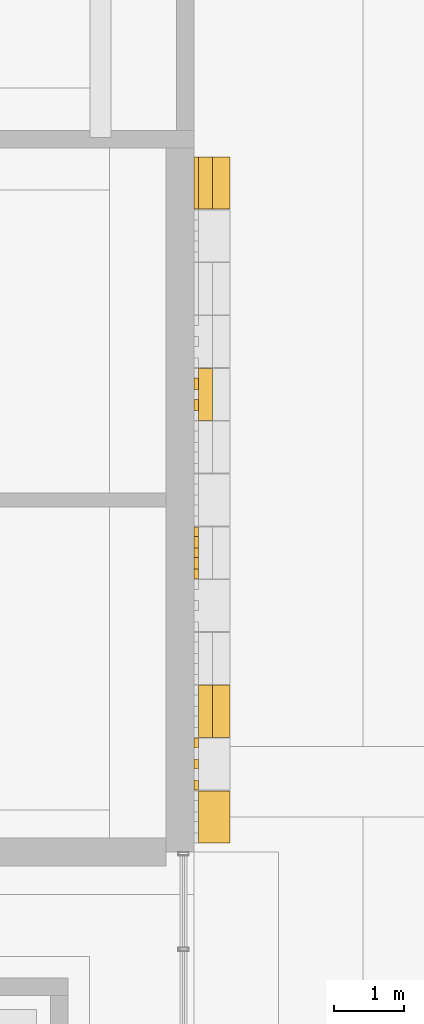
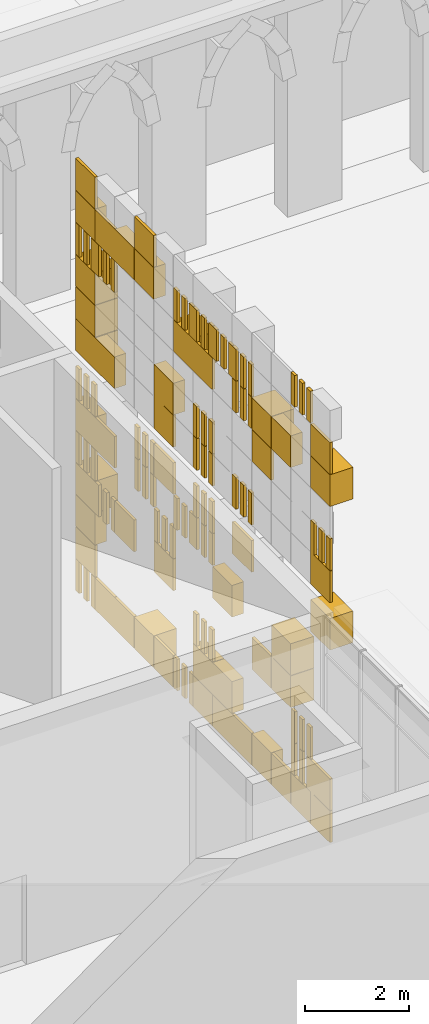
# One storey, part 94 of 125: 2 coverings.
"""IFC4 building model written with IfcOpenShell, lengths in metres."""

from ifc_helpers import new_model, si_unit, direction, frame, origin, origin_2d, place, context, subcontext, project, spatial, rectangle, extrude, material, layer, layer_set, type_object, element, save


model = new_model("IFC4")

# Units and contexts
model_context = context("Model", 3, precision=1e-05, world=origin(), true_north=direction((0.0, 1.0)))
body_context = subcontext(model_context, "Body", "Model", "MODEL_VIEW")
ifc_project = project(units=[si_unit("LENGTHUNIT", "METRE"), si_unit("AREAUNIT", "SQUARE_METRE"), si_unit("VOLUMEUNIT", "CUBIC_METRE"), si_unit("PLANEANGLEUNIT", "RADIAN"), si_unit("MASSUNIT", "GRAM", prefix="KILO")], contexts=[model_context])

# Site, building, storey
site_placement = place(None, origin())
site = spatial("IfcSite", under=ifc_project, at=site_placement, CompositionType="ELEMENT")
building_placement = place(site_placement, origin())
building = spatial("IfcBuilding", under=site, at=building_placement, Name="Sun Court Science Centre", CompositionType="ELEMENT")
storey_placement = place(building_placement, origin())
storey = spatial("IfcBuildingStorey", under=building, at=storey_placement, Name="L00", CompositionType="ELEMENT", Elevation=0.0)

# Coverings
ifc_material_1 = material(Name="Terracotta jali", Category="masonry")
ifc_layer_1 = layer(ifc_material_1, 0.06005859375)
ifc_layer_set_1 = layer_set([ifc_layer_1], Name="Terracotta jali")
covering_type_1 = type_object("IfcCoveringType", Name="Terracotta open jali panel", PredefinedType="CLADDING", material=ifc_layer_set_1)
covering_1_placement = place(storey_placement, origin())
element("IfcCovering", 1, at=covering_1_placement, inside=storey, type_object=covering_type_1, Name="Open jali pixel cladding east party wall L00", PredefinedType="CLADDING", context=body_context, shape_type="SweptSolid", body=[
    extrude(rectangle(XDim=0.139892578125, YDim=0.06005859375, at=origin_2d()), frame((24.030029296875, 63.800048828125, 0.22998046875), z_axis=(0.0, 0.0, 1.0), x_axis=(0.0, -1.0, 0.0)), (0.0, 0.0, 1.0), 0.739990234375),
    extrude(rectangle(XDim=0.139892578125, YDim=0.06005859375, at=origin_2d()), frame((24.030029296875, 63.5, 0.22998046875), z_axis=(0.0, 0.0, 1.0), x_axis=(0.0, -1.0, 0.0)), (0.0, 0.0, 1.0), 0.739990234375),
    extrude(rectangle(XDim=0.139892578125, YDim=0.06005859375, at=origin_2d()), frame((24.030029296875, 63.199951171875, 0.22998046875), z_axis=(0.0, 0.0, 1.0), x_axis=(0.0, -1.0, 0.0)), (0.0, 0.0, 1.0), 0.739990234375),
    extrude(rectangle(XDim=0.139892578125, YDim=0.06005859375, at=origin_2d()), frame((24.030029296875, 60.050048828125, 0.22998046875), z_axis=(0.0, 0.0, 1.0), x_axis=(0.0, -1.0, 0.0)), (0.0, 0.0, 1.0), 0.739990234375),
    extrude(rectangle(XDim=0.139892578125, YDim=0.06005859375, at=origin_2d()), frame((24.030029296875, 59.75, 0.22998046875), z_axis=(0.0, 0.0, 1.0), x_axis=(0.0, -1.0, 0.0)), (0.0, 0.0, 1.0), 0.739990234375),
    extrude(rectangle(XDim=0.139892578125, YDim=0.06005859375, at=origin_2d()), frame((24.030029296875, 59.449951171875, 0.22998046875), z_axis=(0.0, 0.0, 1.0), x_axis=(0.0, -1.0, 0.0)), (0.0, 0.0, 1.0), 0.739990234375),
    extrude(rectangle(XDim=0.139892578125, YDim=0.06005859375, at=origin_2d()), frame((24.030029296875, 55.550048828125, 0.97998046875), z_axis=(0.0, 0.0, 1.0), x_axis=(0.0, -1.0, 0.0)), (0.0, 0.0, 1.0), 0.739990234375),
    extrude(rectangle(XDim=0.139892578125, YDim=0.06005859375, at=origin_2d()), frame((24.030029296875, 55.25, 0.97998046875), z_axis=(0.0, 0.0, 1.0), x_axis=(0.0, -1.0, 0.0)), (0.0, 0.0, 1.0), 0.739990234375),
    extrude(rectangle(XDim=0.139892578125, YDim=0.06005859375, at=origin_2d()), frame((24.030029296875, 54.949951171875, 0.97998046875), z_axis=(0.0, 0.0, 1.0), x_axis=(0.0, -1.0, 0.0)), (0.0, 0.0, 1.0), 0.739990234375),
    extrude(rectangle(XDim=0.139892578125, YDim=0.06005859375, at=origin_2d()), frame((24.030029296875, 59.300048828125, 1.72998046875), z_axis=(0.0, 0.0, 1.0), x_axis=(0.0, -1.0, 0.0)), (0.0, 0.0, 1.0), 0.739990234375),
    extrude(rectangle(XDim=0.139892578125, YDim=0.06005859375, at=origin_2d()), frame((24.030029296875, 59.0, 1.72998046875), z_axis=(0.0, 0.0, 1.0), x_axis=(0.0, -1.0, 0.0)), (0.0, 0.0, 1.0), 0.739990234375),
    extrude(rectangle(XDim=0.139892578125, YDim=0.06005859375, at=origin_2d()), frame((24.030029296875, 58.699951171875, 1.72998046875), z_axis=(0.0, 0.0, 1.0), x_axis=(0.0, -1.0, 0.0)), (0.0, 0.0, 1.0), 0.739990234375),
    extrude(rectangle(XDim=0.139892578125, YDim=0.06005859375, at=origin_2d()), frame((24.030029296875, 55.550048828125, 1.72998046875), z_axis=(0.0, 0.0, 1.0), x_axis=(0.0, -1.0, 0.0)), (0.0, 0.0, 1.0), 0.739990234375),
    extrude(rectangle(XDim=0.139892578125, YDim=0.06005859375, at=origin_2d()), frame((24.030029296875, 55.25, 1.72998046875), z_axis=(0.0, 0.0, 1.0), x_axis=(0.0, -1.0, 0.0)), (0.0, 0.0, 1.0), 0.739990234375),
    extrude(rectangle(XDim=0.139892578125, YDim=0.06005859375, at=origin_2d()), frame((24.030029296875, 54.949951171875, 1.72998046875), z_axis=(0.0, 0.0, 1.0), x_axis=(0.0, -1.0, 0.0)), (0.0, 0.0, 1.0), 0.739990234375),
    extrude(rectangle(XDim=0.139892578125, YDim=0.06005859375, at=origin_2d()), frame((24.030029296875, 63.050048828125, 2.47998046875), z_axis=(0.0, 0.0, 1.0), x_axis=(0.0, -1.0, 0.0)), (0.0, 0.0, 1.0), 0.739990234375),
    extrude(rectangle(XDim=0.139892578125, YDim=0.06005859375, at=origin_2d()), frame((24.030029296875, 62.75, 2.47998046875), z_axis=(0.0, 0.0, 1.0), x_axis=(0.0, -1.0, 0.0)), (0.0, 0.0, 1.0), 0.739990234375),
    extrude(rectangle(XDim=0.139892578125, YDim=0.06005859375, at=origin_2d()), frame((24.030029296875, 62.449951171875, 2.47998046875), z_axis=(0.0, 0.0, 1.0), x_axis=(0.0, -1.0, 0.0)), (0.0, 0.0, 1.0), 0.739990234375),
    extrude(rectangle(XDim=0.139892578125, YDim=0.06005859375, at=origin_2d()), frame((24.030029296875, 63.800048828125, 3.22998046875), z_axis=(0.0, 0.0, 1.0), x_axis=(0.0, -1.0, 0.0)), (0.0, 0.0, 1.0), 0.739990234375),
    extrude(rectangle(XDim=0.139892578125, YDim=0.06005859375, at=origin_2d()), frame((24.030029296875, 63.5, 3.22998046875), z_axis=(0.0, 0.0, 1.0), x_axis=(0.0, -1.0, 0.0)), (0.0, 0.0, 1.0), 0.739990234375),
    extrude(rectangle(XDim=0.139892578125, YDim=0.06005859375, at=origin_2d()), frame((24.030029296875, 63.199951171875, 3.22998046875), z_axis=(0.0, 0.0, 1.0), x_axis=(0.0, -1.0, 0.0)), (0.0, 0.0, 1.0), 0.739990234375),
    extrude(rectangle(XDim=0.139892578125, YDim=0.06005859375, at=origin_2d()), frame((24.030029296875, 60.800048828125, 3.22998046875), z_axis=(0.0, 0.0, 1.0), x_axis=(0.0, -1.0, 0.0)), (0.0, 0.0, 1.0), 0.739990234375),
    extrude(rectangle(XDim=0.139892578125, YDim=0.06005859375, at=origin_2d()), frame((24.030029296875, 60.5, 3.22998046875), z_axis=(0.0, 0.0, 1.0), x_axis=(0.0, -1.0, 0.0)), (0.0, 0.0, 1.0), 0.739990234375),
    extrude(rectangle(XDim=0.139892578125, YDim=0.06005859375, at=origin_2d()), frame((24.030029296875, 60.199951171875, 3.22998046875), z_axis=(0.0, 0.0, 1.0), x_axis=(0.0, -1.0, 0.0)), (0.0, 0.0, 1.0), 0.739990234375),
    extrude(rectangle(XDim=0.139892578125, YDim=0.06005859375, at=origin_2d()), frame((24.030029296875, 61.550048828125, 3.97998046875), z_axis=(0.0, 0.0, 1.0), x_axis=(0.0, -1.0, 0.0)), (0.0, 0.0, 1.0), 0.739990234375),
    extrude(rectangle(XDim=0.139892578125, YDim=0.06005859375, at=origin_2d()), frame((24.030029296875, 61.25, 3.97998046875), z_axis=(0.0, 0.0, 1.0), x_axis=(0.0, -1.0, 0.0)), (0.0, 0.0, 1.0), 0.739990234375),
    extrude(rectangle(XDim=0.139892578125, YDim=0.06005859375, at=origin_2d()), frame((24.030029296875, 60.949951171875, 3.97998046875), z_axis=(0.0, 0.0, 1.0), x_axis=(0.0, -1.0, 0.0)), (0.0, 0.0, 1.0), 0.739990234375),
    extrude(rectangle(XDim=0.139892578125, YDim=0.06005859375, at=origin_2d()), frame((24.030029296875, 60.050048828125, 3.97998046875), z_axis=(0.0, 0.0, 1.0), x_axis=(0.0, -1.0, 0.0)), (0.0, 0.0, 1.0), 0.739990234375),
    extrude(rectangle(XDim=0.139892578125, YDim=0.06005859375, at=origin_2d()), frame((24.030029296875, 59.75, 3.97998046875), z_axis=(0.0, 0.0, 1.0), x_axis=(0.0, -1.0, 0.0)), (0.0, 0.0, 1.0), 0.739990234375),
    extrude(rectangle(XDim=0.139892578125, YDim=0.06005859375, at=origin_2d()), frame((24.030029296875, 59.449951171875, 3.97998046875), z_axis=(0.0, 0.0, 1.0), x_axis=(0.0, -1.0, 0.0)), (0.0, 0.0, 1.0), 0.739990234375),
    extrude(rectangle(XDim=0.139892578125, YDim=0.06005859375, at=origin_2d()), frame((24.030029296875, 59.300048828125, 3.97998046875), z_axis=(0.0, 0.0, 1.0), x_axis=(0.0, -1.0, 0.0)), (0.0, 0.0, 1.0), 0.739990234375),
    extrude(rectangle(XDim=0.139892578125, YDim=0.06005859375, at=origin_2d()), frame((24.030029296875, 59.0, 3.97998046875), z_axis=(0.0, 0.0, 1.0), x_axis=(0.0, -1.0, 0.0)), (0.0, 0.0, 1.0), 0.739990234375),
    extrude(rectangle(XDim=0.139892578125, YDim=0.06005859375, at=origin_2d()), frame((24.030029296875, 58.699951171875, 3.97998046875), z_axis=(0.0, 0.0, 1.0), x_axis=(0.0, -1.0, 0.0)), (0.0, 0.0, 1.0), 0.739990234375),
    extrude(rectangle(XDim=0.139892578125, YDim=0.06005859375, at=origin_2d()), frame((24.030029296875, 63.800048828125, 4.72998046875), z_axis=(0.0, 0.0, 1.0), x_axis=(0.0, -1.0, 0.0)), (0.0, 0.0, 1.0), 0.739990234375),
    extrude(rectangle(XDim=0.139892578125, YDim=0.06005859375, at=origin_2d()), frame((24.030029296875, 63.5, 4.72998046875), z_axis=(0.0, 0.0, 1.0), x_axis=(0.0, -1.0, 0.0)), (0.0, 0.0, 1.0), 0.739990234375),
    extrude(rectangle(XDim=0.139892578125, YDim=0.06005859375, at=origin_2d()), frame((24.030029296875, 63.199951171875, 4.72998046875), z_axis=(0.0, 0.0, 1.0), x_axis=(0.0, -1.0, 0.0)), (0.0, 0.0, 1.0), 0.739990234375),
    extrude(rectangle(XDim=0.139892578125, YDim=0.06005859375, at=origin_2d()), frame((24.030029296875, 61.550048828125, 4.72998046875), z_axis=(0.0, 0.0, 1.0), x_axis=(0.0, -1.0, 0.0)), (0.0, 0.0, 1.0), 0.739990234375),
    extrude(rectangle(XDim=0.139892578125, YDim=0.06005859375, at=origin_2d()), frame((24.030029296875, 61.25, 4.72998046875), z_axis=(0.0, 0.0, 1.0), x_axis=(0.0, -1.0, 0.0)), (0.0, 0.0, 1.0), 0.739990234375),
    extrude(rectangle(XDim=0.139892578125, YDim=0.06005859375, at=origin_2d()), frame((24.030029296875, 60.949951171875, 4.72998046875), z_axis=(0.0, 0.0, 1.0), x_axis=(0.0, -1.0, 0.0)), (0.0, 0.0, 1.0), 0.739990234375),
    extrude(rectangle(XDim=0.139892578125, YDim=0.06005859375, at=origin_2d()), frame((24.030029296875, 59.300048828125, 4.72998046875), z_axis=(0.0, 0.0, 1.0), x_axis=(0.0, -1.0, 0.0)), (0.0, 0.0, 1.0), 0.739990234375),
    extrude(rectangle(XDim=0.139892578125, YDim=0.06005859375, at=origin_2d()), frame((24.030029296875, 59.0, 4.72998046875), z_axis=(0.0, 0.0, 1.0), x_axis=(0.0, -1.0, 0.0)), (0.0, 0.0, 1.0), 0.739990234375),
    extrude(rectangle(XDim=0.139892578125, YDim=0.06005859375, at=origin_2d()), frame((24.030029296875, 58.699951171875, 4.72998046875), z_axis=(0.0, 0.0, 1.0), x_axis=(0.0, -1.0, 0.0)), (0.0, 0.0, 1.0), 0.739990234375),
    extrude(rectangle(XDim=0.139892578125, YDim=0.06005859375, at=origin_2d()), frame((24.030029296875, 59.300048828125, 5.8388671875), z_axis=(0.0, 0.0, 1.0), x_axis=(0.0, -1.0, 0.0)), (0.0, 0.0, 1.0), 0.739990234375),
    extrude(rectangle(XDim=0.139892578125, YDim=0.06005859375, at=origin_2d()), frame((24.030029296875, 59.0, 5.8388671875), z_axis=(0.0, 0.0, 1.0), x_axis=(0.0, -1.0, 0.0)), (0.0, 0.0, 1.0), 0.739990234375),
    extrude(rectangle(XDim=0.139892578125, YDim=0.06005859375, at=origin_2d()), frame((24.030029296875, 58.699951171875, 5.8388671875), z_axis=(0.0, 0.0, 1.0), x_axis=(0.0, -1.0, 0.0)), (0.0, 0.0, 1.0), 0.739990234375),
    extrude(rectangle(XDim=0.139892578125, YDim=0.06005859375, at=origin_2d()), frame((24.030029296875, 57.800048828125, 5.8388671875), z_axis=(0.0, 0.0, 1.0), x_axis=(0.0, -1.0, 0.0)), (0.0, 0.0, 1.0), 0.739990234375),
    extrude(rectangle(XDim=0.139892578125, YDim=0.06005859375, at=origin_2d()), frame((24.030029296875, 57.5, 5.8388671875), z_axis=(0.0, 0.0, 1.0), x_axis=(0.0, -1.0, 0.0)), (0.0, 0.0, 1.0), 0.739990234375),
    extrude(rectangle(XDim=0.139892578125, YDim=0.06005859375, at=origin_2d()), frame((24.030029296875, 57.199951171875, 5.8388671875), z_axis=(0.0, 0.0, 1.0), x_axis=(0.0, -1.0, 0.0)), (0.0, 0.0, 1.0), 0.739990234375),
    extrude(rectangle(XDim=0.139892578125, YDim=0.06005859375, at=origin_2d()), frame((24.030029296875, 59.300048828125, 6.5888671875), z_axis=(0.0, 0.0, 1.0), x_axis=(0.0, -1.0, 0.0)), (0.0, 0.0, 1.0), 0.739990234375),
    extrude(rectangle(XDim=0.139892578125, YDim=0.06005859375, at=origin_2d()), frame((24.030029296875, 59.0, 6.5888671875), z_axis=(0.0, 0.0, 1.0), x_axis=(0.0, -1.0, 0.0)), (0.0, 0.0, 1.0), 0.739990234375),
    extrude(rectangle(XDim=0.139892578125, YDim=0.06005859375, at=origin_2d()), frame((24.030029296875, 58.699951171875, 6.5888671875), z_axis=(0.0, 0.0, 1.0), x_axis=(0.0, -1.0, 0.0)), (0.0, 0.0, 1.0), 0.739990234375),
    extrude(rectangle(XDim=0.139892578125, YDim=0.06005859375, at=origin_2d()), frame((24.030029296875, 54.800048828125, 6.5888671875), z_axis=(0.0, 0.0, 1.0), x_axis=(0.0, -1.0, 0.0)), (0.0, 0.0, 1.0), 0.739990234375),
    extrude(rectangle(XDim=0.139892578125, YDim=0.06005859375, at=origin_2d()), frame((24.030029296875, 54.5, 6.5888671875), z_axis=(0.0, 0.0, 1.0), x_axis=(0.0, -1.0, 0.0)), (0.0, 0.0, 1.0), 0.739990234375),
    extrude(rectangle(XDim=0.139892578125, YDim=0.06005859375, at=origin_2d()), frame((24.030029296875, 54.199951171875, 6.5888671875), z_axis=(0.0, 0.0, 1.0), x_axis=(0.0, -1.0, 0.0)), (0.0, 0.0, 1.0), 0.739990234375),
    extrude(rectangle(XDim=0.139892578125, YDim=0.06005859375, at=origin_2d()), frame((24.030029296875, 63.800048828125, 8.0888671875), z_axis=(0.0, 0.0, 1.0), x_axis=(0.0, -1.0, 0.0)), (0.0, 0.0, 1.0), 0.739990234375),
    extrude(rectangle(XDim=0.139892578125, YDim=0.06005859375, at=origin_2d()), frame((24.030029296875, 63.5, 8.0888671875), z_axis=(0.0, 0.0, 1.0), x_axis=(0.0, -1.0, 0.0)), (0.0, 0.0, 1.0), 0.739990234375),
    extrude(rectangle(XDim=0.139892578125, YDim=0.06005859375, at=origin_2d()), frame((24.030029296875, 63.199951171875, 8.0888671875), z_axis=(0.0, 0.0, 1.0), x_axis=(0.0, -1.0, 0.0)), (0.0, 0.0, 1.0), 0.739990234375),
    extrude(rectangle(XDim=0.139892578125, YDim=0.06005859375, at=origin_2d()), frame((24.030029296875, 63.050048828125, 8.0888671875), z_axis=(0.0, 0.0, 1.0), x_axis=(0.0, -1.0, 0.0)), (0.0, 0.0, 1.0), 0.739990234375),
    extrude(rectangle(XDim=0.139892578125, YDim=0.06005859375, at=origin_2d()), frame((24.030029296875, 62.75, 8.0888671875), z_axis=(0.0, 0.0, 1.0), x_axis=(0.0, -1.0, 0.0)), (0.0, 0.0, 1.0), 0.739990234375),
    extrude(rectangle(XDim=0.139892578125, YDim=0.06005859375, at=origin_2d()), frame((24.030029296875, 62.449951171875, 8.0888671875), z_axis=(0.0, 0.0, 1.0), x_axis=(0.0, -1.0, 0.0)), (0.0, 0.0, 1.0), 0.739990234375),
    extrude(rectangle(XDim=0.139892578125, YDim=0.06005859375, at=origin_2d()), frame((24.030029296875, 57.800048828125, 8.0888671875), z_axis=(0.0, 0.0, 1.0), x_axis=(0.0, -1.0, 0.0)), (0.0, 0.0, 1.0), 0.739990234375),
    extrude(rectangle(XDim=0.139892578125, YDim=0.06005859375, at=origin_2d()), frame((24.030029296875, 57.5, 8.0888671875), z_axis=(0.0, 0.0, 1.0), x_axis=(0.0, -1.0, 0.0)), (0.0, 0.0, 1.0), 0.739990234375),
    extrude(rectangle(XDim=0.139892578125, YDim=0.06005859375, at=origin_2d()), frame((24.030029296875, 57.199951171875, 8.0888671875), z_axis=(0.0, 0.0, 1.0), x_axis=(0.0, -1.0, 0.0)), (0.0, 0.0, 1.0), 0.739990234375),
    extrude(rectangle(XDim=0.139892578125, YDim=0.06005859375, at=origin_2d()), frame((24.030029296875, 60.050048828125, 8.8388671875), z_axis=(0.0, 0.0, 1.0), x_axis=(0.0, -1.0, 0.0)), (0.0, 0.0, 1.0), 0.739990234375),
    extrude(rectangle(XDim=0.139892578125, YDim=0.06005859375, at=origin_2d()), frame((24.030029296875, 59.75, 8.8388671875), z_axis=(0.0, 0.0, 1.0), x_axis=(0.0, -1.0, 0.0)), (0.0, 0.0, 1.0), 0.739990234375),
    extrude(rectangle(XDim=0.139892578125, YDim=0.06005859375, at=origin_2d()), frame((24.030029296875, 59.449951171875, 8.8388671875), z_axis=(0.0, 0.0, 1.0), x_axis=(0.0, -1.0, 0.0)), (0.0, 0.0, 1.0), 0.739990234375),
    extrude(rectangle(XDim=0.139892578125, YDim=0.06005859375, at=origin_2d()), frame((24.030029296875, 59.300048828125, 8.8388671875), z_axis=(0.0, 0.0, 1.0), x_axis=(0.0, -1.0, 0.0)), (0.0, 0.0, 1.0), 0.739990234375),
    extrude(rectangle(XDim=0.139892578125, YDim=0.06005859375, at=origin_2d()), frame((24.030029296875, 59.0, 8.8388671875), z_axis=(0.0, 0.0, 1.0), x_axis=(0.0, -1.0, 0.0)), (0.0, 0.0, 1.0), 0.739990234375),
    extrude(rectangle(XDim=0.139892578125, YDim=0.06005859375, at=origin_2d()), frame((24.030029296875, 58.699951171875, 8.8388671875), z_axis=(0.0, 0.0, 1.0), x_axis=(0.0, -1.0, 0.0)), (0.0, 0.0, 1.0), 0.739990234375),
    extrude(rectangle(XDim=0.139892578125, YDim=0.06005859375, at=origin_2d()), frame((24.030029296875, 58.550048828125, 8.8388671875), z_axis=(0.0, 0.0, 1.0), x_axis=(0.0, -1.0, 0.0)), (0.0, 0.0, 1.0), 0.739990234375),
    extrude(rectangle(XDim=0.139892578125, YDim=0.06005859375, at=origin_2d()), frame((24.030029296875, 58.25, 8.8388671875), z_axis=(0.0, 0.0, 1.0), x_axis=(0.0, -1.0, 0.0)), (0.0, 0.0, 1.0), 0.739990234375),
    extrude(rectangle(XDim=0.139892578125, YDim=0.06005859375, at=origin_2d()), frame((24.030029296875, 57.949951171875, 8.8388671875), z_axis=(0.0, 0.0, 1.0), x_axis=(0.0, -1.0, 0.0)), (0.0, 0.0, 1.0), 0.739990234375),
    extrude(rectangle(XDim=0.139892578125, YDim=0.06005859375, at=origin_2d()), frame((24.030029296875, 57.800048828125, 8.8388671875), z_axis=(0.0, 0.0, 1.0), x_axis=(0.0, -1.0, 0.0)), (0.0, 0.0, 1.0), 0.739990234375),
    extrude(rectangle(XDim=0.139892578125, YDim=0.06005859375, at=origin_2d()), frame((24.030029296875, 57.5, 8.8388671875), z_axis=(0.0, 0.0, 1.0), x_axis=(0.0, -1.0, 0.0)), (0.0, 0.0, 1.0), 0.739990234375),
    extrude(rectangle(XDim=0.139892578125, YDim=0.06005859375, at=origin_2d()), frame((24.030029296875, 57.199951171875, 8.8388671875), z_axis=(0.0, 0.0, 1.0), x_axis=(0.0, -1.0, 0.0)), (0.0, 0.0, 1.0), 0.739990234375),
    extrude(rectangle(XDim=0.139892578125, YDim=0.06005859375, at=origin_2d()), frame((24.030029296875, 55.550048828125, 9.5888671875), z_axis=(0.0, 0.0, 1.0), x_axis=(0.0, -1.0, 0.0)), (0.0, 0.0, 1.0), 0.739990234375),
    extrude(rectangle(XDim=0.139892578125, YDim=0.06005859375, at=origin_2d()), frame((24.030029296875, 55.25, 9.5888671875), z_axis=(0.0, 0.0, 1.0), x_axis=(0.0, -1.0, 0.0)), (0.0, 0.0, 1.0), 0.739990234375),
    extrude(rectangle(XDim=0.139892578125, YDim=0.06005859375, at=origin_2d()), frame((24.030029296875, 54.949951171875, 9.5888671875), z_axis=(0.0, 0.0, 1.0), x_axis=(0.0, -1.0, 0.0)), (0.0, 0.0, 1.0), 0.739990234375),
    extrude(rectangle(XDim=0.739990234375, YDim=0.06005859375, at=origin_2d()), frame((24.030029296875, 58.25, 0.22998046875), z_axis=(0.0, 0.0, 1.0), x_axis=(0.0, -1.0, 0.0)), (0.0, 0.0, 1.0), 0.739990234375),
    extrude(rectangle(XDim=0.739990234375, YDim=0.06005859375, at=origin_2d()), frame((24.030029296875, 57.5, 0.22998046875), z_axis=(0.0, 0.0, 1.0), x_axis=(0.0, -1.0, 0.0)), (0.0, 0.0, 1.0), 0.739990234375),
    extrude(rectangle(XDim=0.739990234375, YDim=0.260009765625, at=origin_2d()), frame((24.1298828125, 56.75, 0.22998046875), z_axis=(0.0, 0.0, 1.0), x_axis=(0.0, -1.0, 0.0)), (0.0, 0.0, 1.0), 0.739990234375),
    extrude(rectangle(XDim=0.739990234375, YDim=0.06005859375, at=origin_2d()), frame((24.030029296875, 54.5, 0.22998046875), z_axis=(0.0, 0.0, 1.0), x_axis=(0.0, -1.0, 0.0)), (0.0, 0.0, 1.0), 0.739990234375),
    extrude(rectangle(XDim=0.739990234375, YDim=0.06005859375, at=origin_2d()), frame((24.030029296875, 54.5, 0.97998046875), z_axis=(0.0, 0.0, 1.0), x_axis=(0.0, -1.0, 0.0)), (0.0, 0.0, 1.0), 0.739990234375),
    extrude(rectangle(XDim=0.739990234375, YDim=0.510009765625, at=origin_2d()), frame((24.2548828125, 54.5, 4.72998046875), z_axis=(0.0, 0.0, 1.0), x_axis=(0.0, -1.0, 0.0)), (0.0, 0.0, 1.0), 0.739990234375),
    extrude(rectangle(XDim=0.739990234375, YDim=0.06005859375, at=origin_2d()), frame((24.030029296875, 54.5, 5.8388671875), z_axis=(0.0, 0.0, 1.0), x_axis=(0.0, -1.0, 0.0)), (0.0, 0.0, 1.0), 0.739990234375),
    extrude(rectangle(XDim=0.739990234375, YDim=0.510009765625, at=origin_2d()), frame((24.2548828125, 54.5, 8.0888671875), z_axis=(0.0, 0.0, 1.0), x_axis=(0.0, -1.0, 0.0)), (0.0, 0.0, 1.0), 0.739990234375),
    extrude(rectangle(XDim=0.739990234375, YDim=0.06005859375, at=origin_2d()), frame((24.030029296875, 54.5, 8.8388671875), z_axis=(0.0, 0.0, 1.0), x_axis=(0.0, -1.0, 0.0)), (0.0, 0.0, 1.0), 0.739990234375),
    extrude(rectangle(XDim=0.739990234375, YDim=0.260009765625, at=origin_2d()), frame((24.1298828125, 63.5, 1.72998046875), z_axis=(0.0, 0.0, 1.0), x_axis=(0.0, -1.0, 0.0)), (0.0, 0.0, 1.0), 0.739990234375),
    extrude(rectangle(XDim=0.739990234375, YDim=0.260009765625, at=origin_2d()), frame((24.1298828125, 63.5, 8.8388671875), z_axis=(0.0, 0.0, 1.0), x_axis=(0.0, -1.0, 0.0)), (0.0, 0.0, 1.0), 0.739990234375),
    extrude(rectangle(XDim=0.739990234375, YDim=0.06005859375, at=origin_2d()), frame((24.030029296875, 63.5, 9.5888671875), z_axis=(0.0, 0.0, 1.0), x_axis=(0.0, -1.0, 0.0)), (0.0, 0.0, 1.0), 0.739990234375),
    extrude(rectangle(XDim=0.739990234375, YDim=0.06005859375, at=origin_2d()), frame((24.030029296875, 61.25, 9.5888671875), z_axis=(0.0, 0.0, 1.0), x_axis=(0.0, -1.0, 0.0)), (0.0, 0.0, 1.0), 0.739990234375),
    extrude(rectangle(XDim=0.739990234375, YDim=0.510009765625, at=origin_2d()), frame((24.2548828125, 63.5, 2.47998046875), z_axis=(0.0, 0.0, 1.0), x_axis=(0.0, -1.0, 0.0)), (0.0, 0.0, 1.0), 0.739990234375),
    extrude(rectangle(XDim=0.739990234375, YDim=0.510009765625, at=origin_2d()), frame((24.2548828125, 63.5, 6.5888671875), z_axis=(0.0, 0.0, 1.0), x_axis=(0.0, -1.0, 0.0)), (0.0, 0.0, 1.0), 0.739990234375),
    extrude(rectangle(XDim=0.739990234375, YDim=0.06005859375, at=origin_2d()), frame((24.030029296875, 60.5, 0.22998046875), z_axis=(0.0, 0.0, 1.0), x_axis=(0.0, -1.0, 0.0)), (0.0, 0.0, 1.0), 0.739990234375),
    extrude(rectangle(XDim=0.739990234375, YDim=0.06005859375, at=origin_2d()), frame((24.030029296875, 56.0, 0.22998046875), z_axis=(0.0, 0.0, 1.0), x_axis=(0.0, -1.0, 0.0)), (0.0, 0.0, 1.0), 0.739990234375),
])
ifc_material_2 = material(Name="Terracotta shade 2", Category="masonry")
ifc_layer_2 = layer(ifc_material_2, 0.06005859375)
ifc_layer_set_2 = layer_set([ifc_layer_2], Name="Terracotta shade 2")
covering_type_2 = type_object("IfcCoveringType", Name="Terracotta pixel panel shade 2", PredefinedType="CLADDING", material=ifc_layer_set_2)
covering_2_placement = place(storey_placement, origin())
element("IfcCovering", 2, at=covering_2_placement, inside=storey, type_object=covering_type_2, Name="Terracotta pixel cladding shade 2 east party wall L00", PredefinedType="CLADDING", context=body_context, shape_type="SweptSolid", body=[
    extrude(rectangle(XDim=0.739990234375, YDim=0.06005859375, at=origin_2d()), frame((24.030029296875, 62.75, 0.22998046875), z_axis=(0.0, 0.0, 1.0), x_axis=(0.0, -1.0, 0.0)), (0.0, 0.0, 1.0), 0.739990234375),
    extrude(rectangle(XDim=0.739990234375, YDim=0.06005859375, at=origin_2d()), frame((24.030029296875, 62.0, 0.22998046875), z_axis=(0.0, 0.0, 1.0), x_axis=(0.0, -1.0, 0.0)), (0.0, 0.0, 1.0), 0.739990234375),
    extrude(rectangle(XDim=0.739990234375, YDim=0.510009765625, at=origin_2d()), frame((24.2548828125, 61.25, 0.22998046875), z_axis=(0.0, 0.0, 1.0), x_axis=(0.0, -1.0, 0.0)), (0.0, 0.0, 1.0), 0.739990234375),
    extrude(rectangle(XDim=0.739990234375, YDim=0.260009765625, at=origin_2d()), frame((24.1298828125, 59.0, 0.22998046875), z_axis=(0.0, 0.0, 1.0), x_axis=(0.0, -1.0, 0.0)), (0.0, 0.0, 1.0), 0.739990234375),
    extrude(rectangle(XDim=0.739990234375, YDim=0.06005859375, at=origin_2d()), frame((24.030029296875, 55.25, 0.22998046875), z_axis=(0.0, 0.0, 1.0), x_axis=(0.0, -1.0, 0.0)), (0.0, 0.0, 1.0), 0.739990234375),
    extrude(rectangle(XDim=0.739990234375, YDim=0.260009765625, at=origin_2d()), frame((24.1298828125, 59.0, 0.97998046875), z_axis=(0.0, 0.0, 1.0), x_axis=(0.0, -1.0, 0.0)), (0.0, 0.0, 1.0), 0.739990234375),
    extrude(rectangle(XDim=0.739990234375, YDim=0.260009765625, at=origin_2d()), frame((24.1298828125, 58.25, 0.97998046875), z_axis=(0.0, 0.0, 1.0), x_axis=(0.0, -1.0, 0.0)), (0.0, 0.0, 1.0), 0.739990234375),
    extrude(rectangle(XDim=0.739990234375, YDim=0.06005859375, at=origin_2d()), frame((24.030029296875, 62.0, 2.47998046875), z_axis=(0.0, 0.0, 1.0), x_axis=(0.0, -1.0, 0.0)), (0.0, 0.0, 1.0), 0.739990234375),
    extrude(rectangle(XDim=0.739990234375, YDim=0.06005859375, at=origin_2d()), frame((24.030029296875, 60.5, 2.47998046875), z_axis=(0.0, 0.0, 1.0), x_axis=(0.0, -1.0, 0.0)), (0.0, 0.0, 1.0), 0.739990234375),
    extrude(rectangle(XDim=0.739990234375, YDim=0.06005859375, at=origin_2d()), frame((24.030029296875, 56.75, 2.47998046875), z_axis=(0.0, 0.0, 1.0), x_axis=(0.0, -1.0, 0.0)), (0.0, 0.0, 1.0), 0.739990234375),
    extrude(rectangle(XDim=0.739990234375, YDim=0.510009765625, at=origin_2d()), frame((24.2548828125, 56.0, 2.47998046875), z_axis=(0.0, 0.0, 1.0), x_axis=(0.0, -1.0, 0.0)), (0.0, 0.0, 1.0), 0.739990234375),
    extrude(rectangle(XDim=0.739990234375, YDim=0.260009765625, at=origin_2d()), frame((24.1298828125, 58.25, 3.22998046875), z_axis=(0.0, 0.0, 1.0), x_axis=(0.0, -1.0, 0.0)), (0.0, 0.0, 1.0), 0.739990234375),
    extrude(rectangle(XDim=0.739990234375, YDim=0.510009765625, at=origin_2d()), frame((24.2548828125, 56.0, 3.22998046875), z_axis=(0.0, 0.0, 1.0), x_axis=(0.0, -1.0, 0.0)), (0.0, 0.0, 1.0), 0.739990234375),
    extrude(rectangle(XDim=0.739990234375, YDim=0.260009765625, at=origin_2d()), frame((24.1298828125, 63.5, 3.97998046875), z_axis=(0.0, 0.0, 1.0), x_axis=(0.0, -1.0, 0.0)), (0.0, 0.0, 1.0), 0.739990234375),
    extrude(rectangle(XDim=0.739990234375, YDim=0.06005859375, at=origin_2d()), frame((24.030029296875, 62.75, 3.97998046875), z_axis=(0.0, 0.0, 1.0), x_axis=(0.0, -1.0, 0.0)), (0.0, 0.0, 1.0), 0.739990234375),
    extrude(rectangle(XDim=0.739990234375, YDim=0.06005859375, at=origin_2d()), frame((24.030029296875, 60.5, 4.72998046875), z_axis=(0.0, 0.0, 1.0), x_axis=(0.0, -1.0, 0.0)), (0.0, 0.0, 1.0), 0.739990234375),
    extrude(rectangle(XDim=0.739990234375, YDim=0.06005859375, at=origin_2d()), frame((24.030029296875, 57.5, 4.72998046875), z_axis=(0.0, 0.0, 1.0), x_axis=(0.0, -1.0, 0.0)), (0.0, 0.0, 1.0), 0.739990234375),
    extrude(rectangle(XDim=0.739990234375, YDim=0.510009765625, at=origin_2d()), frame((24.2548828125, 63.5, 5.8388671875), z_axis=(0.0, 0.0, 1.0), x_axis=(0.0, -1.0, 0.0)), (0.0, 0.0, 1.0), 0.739990234375),
    extrude(rectangle(XDim=0.739990234375, YDim=0.260009765625, at=origin_2d()), frame((24.1298828125, 62.75, 5.8388671875), z_axis=(0.0, 0.0, 1.0), x_axis=(0.0, -1.0, 0.0)), (0.0, 0.0, 1.0), 0.739990234375),
    extrude(rectangle(XDim=0.739990234375, YDim=0.06005859375, at=origin_2d()), frame((24.030029296875, 60.5, 5.8388671875), z_axis=(0.0, 0.0, 1.0), x_axis=(0.0, -1.0, 0.0)), (0.0, 0.0, 1.0), 0.739990234375),
    extrude(rectangle(XDim=0.739990234375, YDim=0.260009765625, at=origin_2d()), frame((24.1298828125, 60.5, 6.5888671875), z_axis=(0.0, 0.0, 1.0), x_axis=(0.0, -1.0, 0.0)), (0.0, 0.0, 1.0), 0.739990234375),
    extrude(rectangle(XDim=0.739990234375, YDim=0.510009765625, at=origin_2d()), frame((24.2548828125, 63.5, 7.3388671875), z_axis=(0.0, 0.0, 1.0), x_axis=(0.0, -1.0, 0.0)), (0.0, 0.0, 1.0), 0.739990234375),
    extrude(rectangle(XDim=0.739990234375, YDim=0.06005859375, at=origin_2d()), frame((24.030029296875, 56.75, 7.3388671875), z_axis=(0.0, 0.0, 1.0), x_axis=(0.0, -1.0, 0.0)), (0.0, 0.0, 1.0), 0.739990234375),
    extrude(rectangle(XDim=0.739990234375, YDim=0.510009765625, at=origin_2d()), frame((24.2548828125, 59.75, 8.0888671875), z_axis=(0.0, 0.0, 1.0), x_axis=(0.0, -1.0, 0.0)), (0.0, 0.0, 1.0), 0.739990234375),
    extrude(rectangle(XDim=0.739990234375, YDim=0.06005859375, at=origin_2d()), frame((24.030029296875, 59.0, 8.0888671875), z_axis=(0.0, 0.0, 1.0), x_axis=(0.0, -1.0, 0.0)), (0.0, 0.0, 1.0), 0.739990234375),
    extrude(rectangle(XDim=0.739990234375, YDim=0.510009765625, at=origin_2d()), frame((24.2548828125, 56.75, 8.0888671875), z_axis=(0.0, 0.0, 1.0), x_axis=(0.0, -1.0, 0.0)), (0.0, 0.0, 1.0), 0.739990234375),
    extrude(rectangle(XDim=0.739990234375, YDim=0.260009765625, at=origin_2d()), frame((24.1298828125, 56.0, 8.0888671875), z_axis=(0.0, 0.0, 1.0), x_axis=(0.0, -1.0, 0.0)), (0.0, 0.0, 1.0), 0.739990234375),
    extrude(rectangle(XDim=0.739990234375, YDim=0.06005859375, at=origin_2d()), frame((24.030029296875, 62.75, 8.8388671875), z_axis=(0.0, 0.0, 1.0), x_axis=(0.0, -1.0, 0.0)), (0.0, 0.0, 1.0), 0.739990234375),
    extrude(rectangle(XDim=0.739990234375, YDim=0.260009765625, at=origin_2d()), frame((24.1298828125, 62.0, 8.8388671875), z_axis=(0.0, 0.0, 1.0), x_axis=(0.0, -1.0, 0.0)), (0.0, 0.0, 1.0), 0.739990234375),
    extrude(rectangle(XDim=0.739990234375, YDim=0.260009765625, at=origin_2d()), frame((24.1298828125, 61.25, 8.8388671875), z_axis=(0.0, 0.0, 1.0), x_axis=(0.0, -1.0, 0.0)), (0.0, 0.0, 1.0), 0.739990234375),
    extrude(rectangle(XDim=0.739990234375, YDim=0.06005859375, at=origin_2d()), frame((24.030029296875, 63.5, 0.97998046875), z_axis=(0.0, 0.0, 1.0), x_axis=(0.0, -1.0, 0.0)), (0.0, 0.0, 1.0), 0.739990234375),
])

save(model, "model.ifc")
